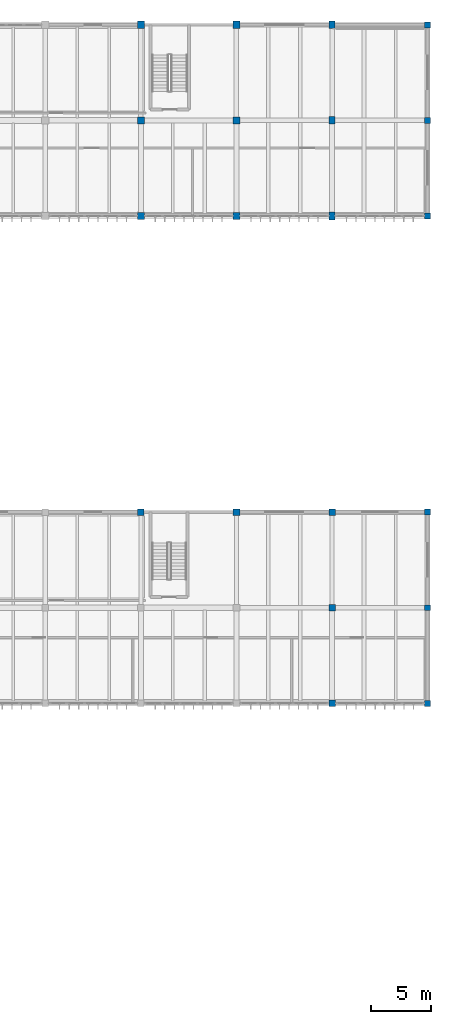
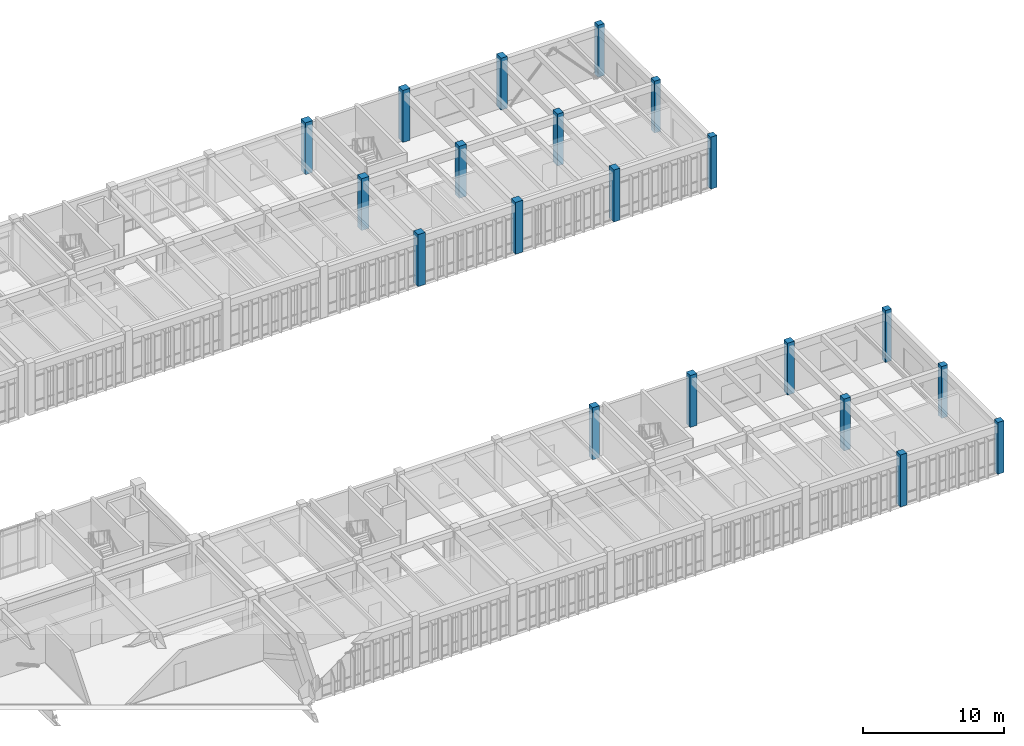
# One storey, part 2 of 79: 20 columns.
"""IFC4 building model written with IfcOpenShell, lengths in metres."""

from ifc_helpers import new_model, si_unit, direction, frame, origin, origin_2d, place, context, subcontext, project, spatial, rectangle, extrude, material, material_profile, profile_set, type_object, element, save


model = new_model("IFC4")

# Units and contexts
model_context = context("Model", 3, precision=1e-05, world=origin(), true_north=direction((0.0, 1.0)))
body_context = subcontext(model_context, "Body", "Model", "MODEL_VIEW")
ifc_project = project(units=[si_unit("LENGTHUNIT", "METRE"), si_unit("AREAUNIT", "SQUARE_METRE"), si_unit("VOLUMEUNIT", "CUBIC_METRE"), si_unit("PLANEANGLEUNIT", "RADIAN"), si_unit("MASSUNIT", "GRAM", prefix="KILO")], contexts=[model_context])

# Site, building, storey
site_placement = place(None, origin())
site = spatial("IfcSite", under=ifc_project, at=site_placement, CompositionType="ELEMENT")
building_placement = place(site_placement, origin())
building = spatial("IfcBuilding", under=site, at=building_placement, Name="Tlaxcora Railside Police Headquarters", CompositionType="ELEMENT")
storey_placement = place(building_placement, frame((0.0, 0.0, 9.0)))
storey = spatial("IfcBuildingStorey", under=building, at=storey_placement, Name="L02", CompositionType="ELEMENT", Elevation=9.0)

# Columns
ifc_material = material(Name="Concrete C40/50", Category="concrete")
ifc_material_profile_1 = material_profile(ifc_material, rectangle(XDim=0.5, YDim=0.64990234375, at=origin_2d()), Name="RC500X650")
ifc_profile_set_1 = profile_set([ifc_material_profile_1], Name="Concrete C40/50")
column_type_1 = type_object("IfcColumnType", Name="Structural Column CL-28", PredefinedType="COLUMN", material=ifc_profile_set_1)
for number, where, z_axis, x_axis, name in (
    (1, (150.800048828125, 76.800048828125, 0.0), (0.0, 0.0, 1.0), (1.0, 0.0, 0.0), "L02 column (150.8, 76.8)"),
    (2, (150.800048828125, 84.800048828125, 0.0), (0.0, 0.0, 1.0), (1.0, 0.0, 0.0), "L02 column (150.8, 84.8)"),
    (3, (150.800048828125, 92.800048828125, 0.0), (0.0, 0.0, 1.0), (1.0, 0.0, 0.0), "L02 column (150.8, 92.8)"),
):
    element("IfcColumn", number, at=place(storey_placement, frame(where, z_axis=z_axis, x_axis=x_axis)), inside=storey, type_object=column_type_1, Name=name, PredefinedType="COLUMN", context=body_context, shape_type="SweptSolid", body=[
        extrude(rectangle(XDim=0.5, YDim=0.64990234375, at=origin_2d()), origin(), (0.0, 0.0, 1.0), 4.5),
    ])
ifc_material_profile_2 = material_profile(ifc_material, rectangle(XDim=0.60009765625, YDim=0.60009765625, at=origin_2d()), Name="RC600X600")
ifc_profile_set_2 = profile_set([ifc_material_profile_2], Name="Concrete C40/50")
column_type_2 = type_object("IfcColumnType", Name="Structural Column CL-53", PredefinedType="COLUMN", material=ifc_profile_set_2)
for number, where, z_axis, x_axis, name in (
    (4, (134.800048828125, 76.800048828125, 0.0), (0.0, 0.0, 1.0), (1.0, 0.0, 0.0), "L02 column (134.8, 76.8)"),
    (5, (134.800048828125, 84.800048828125, 0.0), (0.0, 0.0, 1.0), (1.0, 0.0, 0.0), "L02 column (134.8, 84.8)"),
    (6, (134.800048828125, 92.800048828125, 0.0), (0.0, 0.0, 1.0), (1.0, 0.0, 0.0), "L02 column (134.8, 92.8)"),
    (7, (142.800048828125, 76.800048828125, 0.0), (0.0, 0.0, 1.0), (1.0, 0.0, 0.0), "L02 column (142.8, 76.8)"),
    (8, (142.800048828125, 84.800048828125, 0.0), (0.0, 0.0, 1.0), (1.0, 0.0, 0.0), "L02 column (142.8, 84.8)"),
    (9, (142.800048828125, 92.800048828125, 0.0), (0.0, 0.0, 1.0), (1.0, 0.0, 0.0), "L02 column (142.8, 92.8)"),
):
    element("IfcColumn", number, at=place(storey_placement, frame(where, z_axis=z_axis, x_axis=x_axis)), inside=storey, type_object=column_type_2, Name=name, PredefinedType="COLUMN", context=body_context, shape_type="SweptSolid", body=[
        extrude(rectangle(XDim=0.60009765625, YDim=0.60009765625, at=origin_2d()), origin(), (0.0, 0.0, 1.0), 4.5),
    ])
ifc_material_profile_3 = material_profile(ifc_material, rectangle(XDim=0.5, YDim=0.5, at=origin_2d()), Name="RC500X500")
ifc_profile_set_3 = profile_set([ifc_material_profile_3], Name="Concrete C40/50")
column_type_3 = type_object("IfcColumnType", Name="Structural Column CL-55", PredefinedType="COLUMN", material=ifc_profile_set_3)
for number, where, z_axis, x_axis, name in (
    (10, (158.800048828125, 36.0, 0.0), (0.0, 0.0, 1.0), (1.0, 0.0, 0.0), "L02 column (158.8, 36.0)"),
    (11, (158.800048828125, 44.0, 0.0), (0.0, 0.0, 1.0), (1.0, 0.0, 0.0), "L02 column (158.8, 44.0)"),
    (12, (158.800048828125, 52.0, 0.0), (0.0, 0.0, 1.0), (1.0, 0.0, 0.0), "L02 column (158.8, 52.0)"),
    (13, (158.800048828125, 76.800048828125, 0.0), (0.0, 0.0, 1.0), (1.0, 0.0, 0.0), "L02 column (158.8, 76.8)"),
    (14, (158.800048828125, 84.800048828125, 0.0), (0.0, 0.0, 1.0), (1.0, 0.0, 0.0), "L02 column (158.8, 84.8)"),
    (15, (158.800048828125, 92.800048828125, 0.0), (0.0, 0.0, 1.0), (1.0, 0.0, 0.0), "L02 column (158.8, 92.8)"),
):
    element("IfcColumn", number, at=place(storey_placement, frame(where, z_axis=z_axis, x_axis=x_axis)), inside=storey, type_object=column_type_3, Name=name, PredefinedType="COLUMN", context=body_context, shape_type="SweptSolid", body=[
        extrude(rectangle(XDim=0.5, YDim=0.5, at=origin_2d()), origin(), (0.0, 0.0, 1.0), 4.5),
    ])
ifc_material_profile_4 = material_profile(ifc_material, rectangle(XDim=0.550048828125, YDim=0.550048828125, at=origin_2d()), Name="RC550X550")
ifc_profile_set_4 = profile_set([ifc_material_profile_4], Name="Concrete C40/50")
column_type_4 = type_object("IfcColumnType", Name="Structural Column CL-83", PredefinedType="COLUMN", material=ifc_profile_set_4)
for number, where, z_axis, x_axis, name in (
    (16, (134.800048828125, 52.0, 0.0), (0.0, 0.0, 1.0), (1.0, 0.0, 0.0), "L02 column (134.8, 52.0)"),
    (17, (142.800048828125, 52.0, 0.0), (0.0, 0.0, 1.0), (1.0, 0.0, 0.0), "L02 column (142.8, 52.0)"),
    (18, (150.800048828125, 36.0, 0.0), (0.0, 0.0, 1.0), (1.0, 0.0, 0.0), "L02 column (150.8, 36.0)"),
    (19, (150.800048828125, 44.0, 0.0), (0.0, 0.0, 1.0), (1.0, 0.0, 0.0), "L02 column (150.8, 44.0)"),
    (20, (150.800048828125, 52.0, 0.0), (0.0, 0.0, 1.0), (1.0, 0.0, 0.0), "L02 column (150.8, 52.0)"),
):
    element("IfcColumn", number, at=place(storey_placement, frame(where, z_axis=z_axis, x_axis=x_axis)), inside=storey, type_object=column_type_4, Name=name, PredefinedType="COLUMN", context=body_context, shape_type="SweptSolid", body=[
        extrude(rectangle(XDim=0.550048828125, YDim=0.550048828125, at=origin_2d()), origin(), (0.0, 0.0, 1.0), 4.5),
    ])

save(model, "model.ifc")
